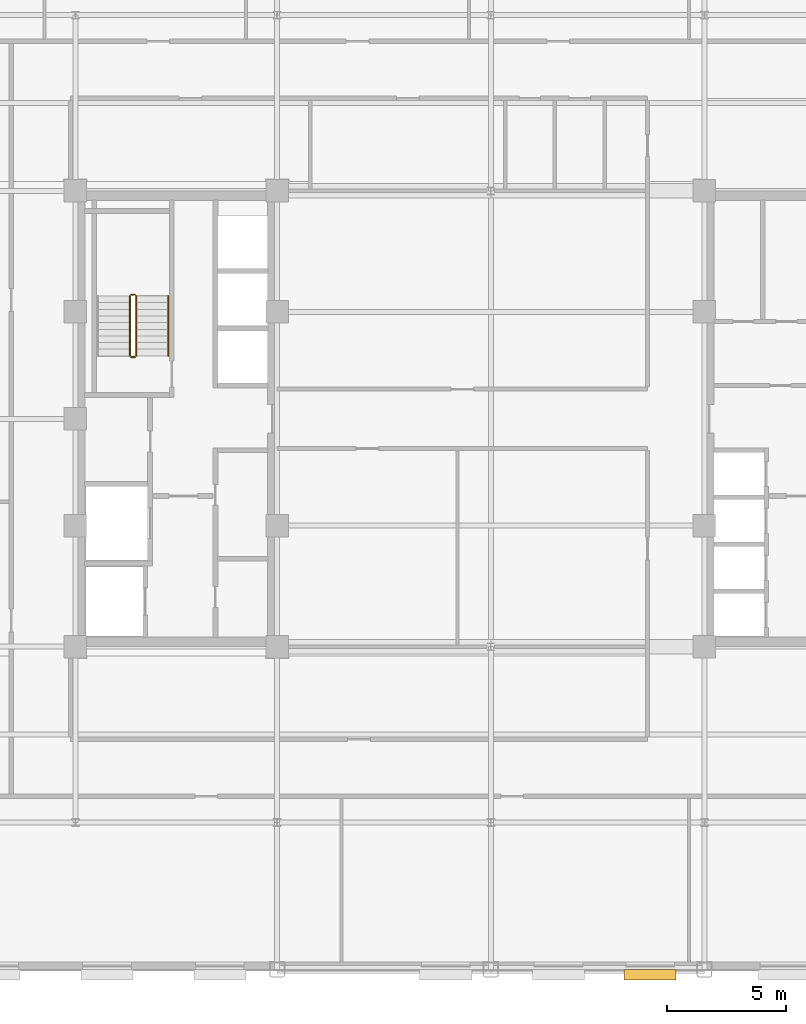
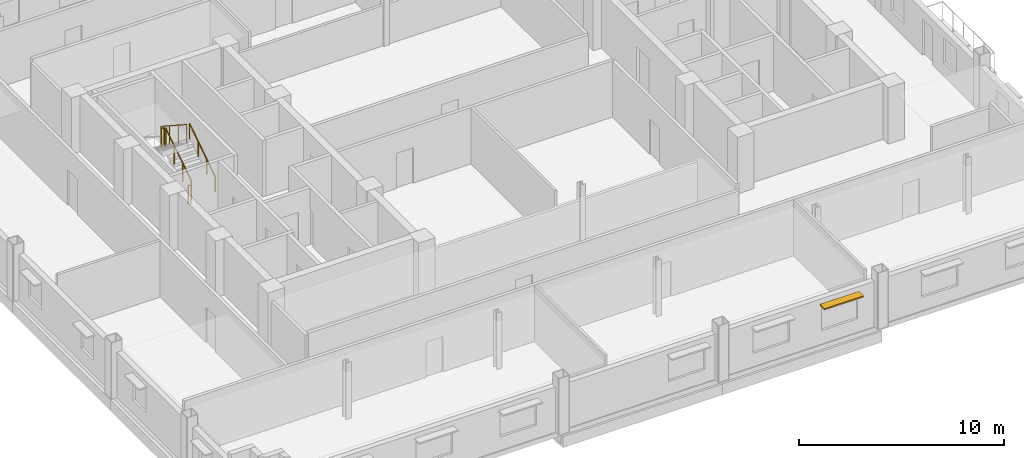
# One storey, part 12 of 14: 5 railings, 1 shading device.
"""IFC4 building model written with IfcOpenShell, lengths in metres."""

import ifcopenshell
import ifcopenshell.guid

model = None  # the IFC model being written
_history = None  # IfcOwnerHistory: only IFC2X3 demands one
_inside = {}  # id of a spatial element -> (the spatial element, [elements in it])
_under = {}  # id of a project, library or spatial element -> (it, [spatial elements below it])
_declared = {}  # id of a project -> (the project, [libraries it declares])
_typed = {}  # id of a type object -> (the type object, [elements of that type])
_made_of = {}  # id of a material, layer set ... -> (it, [elements and type objects made of it])


def new_model(schema):
    """Start an empty IFC model of exactly this schema.

    Asked for "IFC4X3", IfcOpenShell would pick the latest addendum, in which some entities
    have other attributes; the version numbers below select the first issue.
    IFC2X3 requires an IfcOwnerHistory on every rooted entity: one is made here for all.
    """
    global model, _history
    if schema == "IFC4X3":
        model = ifcopenshell.file(schema_version=(4, 3, 0, 0))
    else:
        model = ifcopenshell.file(schema=schema)
    _inside.clear()
    _under.clear()
    _declared.clear()
    _typed.clear()
    _made_of.clear()
    _history = None
    if model.schema == "IFC2X3":
        org = make("IfcOrganization", Name="unknown")
        user = make(
            "IfcPersonAndOrganization",
            ThePerson=make("IfcPerson", FamilyName="unknown"),
            TheOrganization=org,
        )
        app = make(
            "IfcApplication",
            ApplicationDeveloper=org,
            Version="unknown",
            ApplicationFullName="unknown",
            ApplicationIdentifier="unknown",
        )
        _history = make(
            "IfcOwnerHistory",
            OwningUser=user,
            OwningApplication=app,
            ChangeAction="ADDED",
            CreationDate=0,
        )
    return model


def make(cls, **values):
    """One entity of the class cls with the attributes given. An attribute that is None is left unset."""
    return model.create_entity(
        cls, **{name: value for name, value in values.items() if value is not None}
    )


def rooted(cls, **values):
    """An entity with a GlobalId (a new one), such as an element, a storey or a relation."""
    return make(cls, GlobalId=ifcopenshell.guid.new(), OwnerHistory=_history, **values)


def si_unit(unit_type, name, prefix=None):
    """IfcSIUnit, for example si_unit("LENGTHUNIT", "METRE", prefix="MILLI")."""
    return make("IfcSIUnit", UnitType=unit_type, Prefix=prefix, Name=name)


def assignment(units):
    """IfcUnitAssignment: the units of a project."""
    return None if units is None else make("IfcUnitAssignment", Units=units)


def point(xyz):
    """IfcCartesianPoint."""
    return None if xyz is None else make("IfcCartesianPoint", Coordinates=xyz)


def direction(xyz):
    """IfcDirection."""
    return None if xyz is None else make("IfcDirection", DirectionRatios=xyz)


def frame(location, z_axis=None, x_axis=None):
    """IfcAxis2Placement3D, a coordinate frame: its origin and axes. An axis left out is left unset."""
    return make(
        "IfcAxis2Placement3D",
        Location=point(location),
        Axis=direction(z_axis),
        RefDirection=direction(x_axis),
    )


def frame_2d(location, x_axis=None):
    """IfcAxis2Placement2D, a coordinate frame in the plane: its origin and x axis."""
    return make(
        "IfcAxis2Placement2D", Location=point(location), RefDirection=direction(x_axis)
    )


def origin():
    """The frame at (0, 0, 0) with its axes left unset."""
    return frame((0.0, 0.0, 0.0))


def origin_2d():
    """The frame at (0, 0) in the plane with its x axis left unset."""
    return frame_2d((0.0, 0.0))


def place(relative_to, where):
    """IfcLocalPlacement: puts the frame where relative to a parent placement (None: the world)."""
    return make(
        "IfcLocalPlacement", PlacementRelTo=relative_to, RelativePlacement=where
    )


def context(
    kind, dimensions, precision=None, world=None, true_north=None, identifier=None
):
    """IfcGeometricRepresentationContext, for example the 3D "Model" context."""
    return make(
        "IfcGeometricRepresentationContext",
        ContextIdentifier=identifier,
        ContextType=kind,
        CoordinateSpaceDimension=dimensions,
        Precision=precision,
        WorldCoordinateSystem=world,
        TrueNorth=true_north,
    )


def subcontext(parent, identifier, kind, view, scale=None):
    """IfcGeometricRepresentationSubContext, for example "Body" below "Model"."""
    return make(
        "IfcGeometricRepresentationSubContext",
        ContextIdentifier=identifier,
        ContextType=kind,
        ParentContext=parent,
        TargetScale=scale,
        TargetView=view,
    )


def project(units=None, contexts=None):
    """IfcProject with its units and contexts."""
    return rooted(
        "IfcProject",
        Name="project",
        RepresentationContexts=contexts,
        UnitsInContext=assignment(units),
    )


def spatial(cls, under=None, at=None, **own):
    """A site, building, storey or space (cls), placed at a placement, below another one or the project."""
    s = rooted(cls, ObjectPlacement=at, **own)
    if under is not None:
        _under.setdefault(under.id(), (under, []))[1].append(s)
    return s


def profile(cls, at=None, kind="AREA", **sizes):
    """A parametric profile (cls). Its sizes go by their IFC names, for example OverallWidth=200.0."""
    return make(cls, ProfileType=kind, Position=at, **sizes)


def rectangle(**sizes):
    """IfcRectangleProfileDef."""
    return profile("IfcRectangleProfileDef", **sizes)


def circle(**sizes):
    """IfcCircleProfileDef."""
    return profile("IfcCircleProfileDef", **sizes)


def extrude(swept, where, along, depth):
    """IfcExtrudedAreaSolid: the profile swept, set in the frame where, extruded along a direction by depth."""
    return make(
        "IfcExtrudedAreaSolid",
        SweptArea=swept,
        Position=where,
        ExtrudedDirection=direction(along),
        Depth=depth,
    )


def shape(context_of_items, identifier, shape_type, items):
    """IfcShapeRepresentation: the items that make up one representation, for example the "Body"."""
    return make(
        "IfcShapeRepresentation",
        ContextOfItems=context_of_items,
        RepresentationIdentifier=identifier,
        RepresentationType=shape_type,
        Items=items,
    )


def source(mapping_origin, context_of_items, identifier, shape_type, items):
    """IfcRepresentationMap: a shape defined once, which mapped items show again and again."""
    return make(
        "IfcRepresentationMap",
        MappingOrigin=mapping_origin,
        MappedRepresentation=shape(context_of_items, identifier, shape_type, items),
    )


def transform(
    local_origin,
    x_axis=None,
    y_axis=None,
    z_axis=None,
    scale=None,
    scale2=None,
    scale3=None,
    uniform=True,
):
    """IfcCartesianTransformationOperator3D, or its non-uniform kind. x_axis, y_axis, z_axis: its Axis1, 2, 3."""
    if uniform:
        return make(
            "IfcCartesianTransformationOperator3D",
            Axis1=direction(x_axis),
            Axis2=direction(y_axis),
            LocalOrigin=point(local_origin),
            Scale=scale,
            Axis3=direction(z_axis),
        )
    return make(
        "IfcCartesianTransformationOperator3DnonUniform",
        Axis1=direction(x_axis),
        Axis2=direction(y_axis),
        LocalOrigin=point(local_origin),
        Scale=scale,
        Axis3=direction(z_axis),
        Scale2=scale2,
        Scale3=scale3,
    )


def mapped(mapping_source, mapping_target):
    """IfcMappedItem: shows the shape of a source again, moved by a transform."""
    return make(
        "IfcMappedItem", MappingSource=mapping_source, MappingTarget=mapping_target
    )


def material(Name=None, Category=None):
    """IfcMaterial."""
    return make("IfcMaterial", Name=Name, Category=Category)


def made_of(thing, what):
    """Note that an element or type object is made of a material, layer set ...; save() writes the relation."""
    if what is not None:
        _made_of.setdefault(what.id(), (what, []))[1].append(thing)
    return thing


def type_object(cls, material=None, **own):
    """A type object (cls), such as IfcWallType, which elements share."""
    return made_of(rooted(cls, **own), material)


def type_shapes(of_type, sources):
    """Give a type object the sources (RepresentationMaps) that its elements show as mapped items."""
    of_type.RepresentationMaps = sources


def element(
    cls,
    number,
    at=None,
    inside=None,
    cuts=None,
    type_object=None,
    material=None,
    context=None,
    identifier="Body",
    shape_type=None,
    held_by="IfcProductDefinitionShape",
    body=None,
    shapes=None,
    **own,
):
    """One element of the class cls, such as IfcWall. Its Tag is "e" and its number.

    at: its placement. inside: the storey or other place that contains it. cuts: it is an
    opening in that element (IfcRelVoidsElement). A single representation is given by context,
    identifier, shape_type and body (its items); several are given by shapes. held_by: the class
    of the entity that holds the representations. save() writes the other relations.
    """
    e = rooted(cls, Tag="e%d" % number, ObjectPlacement=at, **own)
    if body is not None:
        shapes = [shape(context, identifier, shape_type, body)]
    if shapes is not None:
        e.Representation = make(held_by, Representations=shapes)
    if inside is not None:
        _inside.setdefault(inside.id(), (inside, []))[1].append(e)
    if cuts is not None:
        rooted(
            "IfcRelVoidsElement", RelatingBuildingElement=cuts, RelatedOpeningElement=e
        )
    if type_object is not None:
        _typed.setdefault(type_object.id(), (type_object, []))[1].append(e)
    return made_of(e, material)


def aggregate(whole, parts):
    """IfcRelAggregates: a whole, such as a stair, and the parts it consists of."""
    return rooted("IfcRelAggregates", RelatingObject=whole, RelatedObjects=parts)


def save(model, path):
    """Write the relations noted so far, then the file.

    IfcRelAggregates (storeys below a building ...), IfcRelContainedInSpatialStructure (elements
    in a storey), IfcRelDefinesByType, IfcRelAssociatesMaterial and IfcRelDeclares: one each for
    every whole, place, type object, material and project.
    """
    for whole, parts in _under.values():
        aggregate(whole, parts)
    for where, things in _inside.values():
        rooted(
            "IfcRelContainedInSpatialStructure",
            RelatedElements=things,
            RelatingStructure=where,
        )
    for kind, things in _typed.values():
        rooted("IfcRelDefinesByType", RelatedObjects=things, RelatingType=kind)
    for what, things in _made_of.values():
        rooted("IfcRelAssociatesMaterial", RelatedObjects=things, RelatingMaterial=what)
    for by, libraries in _declared.values():
        rooted("IfcRelDeclares", RelatingContext=by, RelatedDefinitions=libraries)
    model.write(path)


model = new_model("IFC4")

# Units and contexts
model_context = context("Model", 3, precision=1e-05, world=origin(), true_north=direction((0.0, 1.0)))
body_context = subcontext(model_context, "Body", "Model", "MODEL_VIEW")
ifc_project = project(units=[si_unit("LENGTHUNIT", "METRE"), si_unit("AREAUNIT", "SQUARE_METRE"), si_unit("VOLUMEUNIT", "CUBIC_METRE"), si_unit("PLANEANGLEUNIT", "RADIAN"), si_unit("MASSUNIT", "GRAM", prefix="KILO")], contexts=[model_context])

# Site, building, storey
site_placement = place(None, origin())
site = spatial("IfcSite", under=ifc_project, at=site_placement, CompositionType="ELEMENT")
building_placement = place(site_placement, origin())
building = spatial("IfcBuilding", under=site, at=building_placement, Name="Nuvemarco Arch Tower", CompositionType="ELEMENT")
storey_placement = place(building_placement, frame((0.0, 0.0, 174.949951171875)))
storey = spatial("IfcBuildingStorey", under=building, at=storey_placement, Name="L46", CompositionType="ELEMENT", Elevation=174.949951171875)

# Railings
ifc_material_1 = material(Name="Brushed stainless steel handrail", Category="steel")
railing_type_1 = type_object("IfcRailingType", Name="RL-HANDRAIL-900", PredefinedType="HANDRAIL", material=ifc_material_1)
railing_1_placement = place(storey_placement, frame((-13.590087890625, 2.64990234375, 0.1826171875)))
element("IfcRailing", 1, at=railing_1_placement, inside=storey, type_object=railing_type_1, Name="L46 ST-1 stair handrail 1", PredefinedType="HANDRAIL", context=body_context, shape_type="SweptSolid", body=[
    extrude(circle(Radius=0.02392578125, at=origin_2d()), frame((0.0, 0.0, 0.8759765625), z_axis=(0.0, 0.837786554691, 0.545997883492), x_axis=(-1.0, 0.0, 0.0)), (0.0, 0.0, 1.0), 3.008056640625),
    extrude(circle(Radius=0.02099609375, at=origin_2d()), origin(), (0.0, 0.0, 1.0), 0.851806640625),
    extrude(circle(Radius=0.02099609375, at=origin_2d()), frame((0.0, 0.840087890625, 0.54736328125)), (0.0, 0.0, 1.0), 0.851806640625),
    extrude(circle(Radius=0.02099609375, at=origin_2d()), frame((0.0, 1.679931640625, 1.094970703125)), (0.0, 0.0, 1.0), 0.851806640625),
    extrude(circle(Radius=0.02099609375, at=origin_2d()), frame((0.0, 2.52001953125, 1.642333984375)), (0.0, 0.0, 1.0), 0.851806640625),
])
ifc_material_2 = material(Name="Painted balustrade steel S355", Category="steel")
railing_type_2 = type_object("IfcRailingType", Name="RL-STAIR-GUARD", PredefinedType="GUARDRAIL", material=ifc_material_2)
railing_2_placement = place(storey_placement, frame((-14.93994140625, 2.64990234375, 0.1826171875)))
element("IfcRailing", 2, at=railing_2_placement, inside=storey, type_object=railing_type_2, Name="L46 ST-1 stair guard 1", PredefinedType="GUARDRAIL", context=body_context, shape_type="SweptSolid", body=[
    extrude(circle(Radius=0.02392578125, at=origin_2d()), frame((0.0, 0.0, 1.09619140625), z_axis=(0.0, 0.837786554691, 0.545997883492), x_axis=(-1.0, 0.0, 0.0)), (0.0, 0.0, 1.0), 3.008056640625),
    extrude(circle(Radius=0.02099609375, at=origin_2d()), origin(), (0.0, 0.0, 1.0), 1.072021484375),
    extrude(circle(Radius=0.02099609375, at=origin_2d()), frame((0.0, 0.840087890625, 0.54736328125)), (0.0, 0.0, 1.0), 1.072021484375),
    extrude(circle(Radius=0.02099609375, at=origin_2d()), frame((0.0, 1.679931640625, 1.094970703125)), (0.0, 0.0, 1.0), 1.072021484375),
    extrude(circle(Radius=0.02099609375, at=origin_2d()), frame((0.0, 2.52001953125, 1.642333984375)), (0.0, 0.0, 1.0), 1.072021484375),
])
railing_3_placement = place(storey_placement, frame((-14.989990234375, 5.219970703125, 1.824951171875)))
element("IfcRailing", 3, at=railing_3_placement, inside=storey, type_object=railing_type_2, Name="L46 ST-1 stair guard 2", PredefinedType="GUARDRAIL", context=body_context, shape_type="SweptSolid", body=[
    extrude(circle(Radius=0.02392578125, at=origin_2d()), frame((0.0, 0.0, 1.09619140625), z_axis=(-1.0, 0.0, 0.0), x_axis=(0.0, -1.0, 0.0)), (0.0, 0.0, 1.0), 0.159912109375),
    extrude(circle(Radius=0.02099609375, at=origin_2d()), origin(), (0.0, 0.0, 1.0), 1.072021484375),
    extrude(circle(Radius=0.02099609375, at=origin_2d()), frame((-0.159912109375, 0.0, 0.0)), (0.0, 0.0, 1.0), 1.072021484375),
])
railing_4_placement = place(storey_placement, frame((-15.199951171875, 5.169921875, 2.007568359375)))
element("IfcRailing", 4, at=railing_4_placement, inside=storey, type_object=railing_type_2, Name="L46 ST-1 stair guard 3", PredefinedType="GUARDRAIL", context=body_context, shape_type="SweptSolid", body=[
    extrude(circle(Radius=0.02392578125, at=origin_2d()), frame((0.0, 0.0, 1.09619140625), z_axis=(0.0, -0.837749427056, 0.546054848405), x_axis=(1.0, 0.0, 0.0)), (0.0, 0.0, 1.0), 3.008056640625),
    extrude(circle(Radius=0.02099609375, at=origin_2d()), origin(), (0.0, 0.0, 1.0), 1.072021484375),
    extrude(circle(Radius=0.02099609375, at=origin_2d()), frame((0.0, -0.840087890625, 0.547607421875)), (0.0, 0.0, 1.0), 1.072021484375),
    extrude(circle(Radius=0.02099609375, at=origin_2d()), frame((0.0, -1.679931640625, 1.094970703125)), (0.0, 0.0, 1.0), 1.072021484375),
    extrude(circle(Radius=0.02099609375, at=origin_2d()), frame((0.0, -2.52001953125, 1.642578125)), (0.0, 0.0, 1.0), 1.072021484375),
])
railing_5_placement = place(storey_placement, frame((-14.989990234375, 2.60009765625, 0.0)))
element("IfcRailing", 5, at=railing_5_placement, inside=storey, type_object=railing_type_2, Name="L46 ST-1 stair guard 4", PredefinedType="GUARDRAIL", context=body_context, shape_type="SweptSolid", body=[
    extrude(circle(Radius=0.02392578125, at=origin_2d()), frame((0.0, 0.0, 1.09619140625), z_axis=(-1.0, 0.0, 0.0), x_axis=(0.0, -1.0, 0.0)), (0.0, 0.0, 1.0), 0.159912109375),
    extrude(circle(Radius=0.02099609375, at=origin_2d()), origin(), (0.0, 0.0, 1.0), 1.072021484375),
    extrude(circle(Radius=0.02099609375, at=origin_2d()), frame((-0.159912109375, 0.0, 0.0)), (0.0, 0.0, 1.0), 1.072021484375),
])

# Shading device
ifc_material_3 = material(Name="Anodised aluminium 6063-T6", Category="aluminium")
shading_device_type = type_object("IfcShadingDeviceType", Name="SHD-BRISE-SOLEIL", PredefinedType="USERDEFINED", material=ifc_material_3)
shared_shape = source(origin(), body_context, "Body", "SweptSolid", [
    extrude(rectangle(XDim=2.199951171875, YDim=0.449951171875, at=origin_2d()), origin(), (0.0, 0.0, 1.0), 0.080078125),
])
type_shapes(shading_device_type, [shared_shape])
shading_device_placement = place(storey_placement, frame((6.711181640625, -23.4150390625, 2.324951171875), z_axis=(0.0, 0.0, 1.0), x_axis=(1.0, 0.0, 0.0)))
element("IfcShadingDevice", 6, at=shading_device_placement, inside=storey, type_object=shading_device_type, Name="L46 horizontal brise-soleil sunshade", ObjectType="SUNSHADE", PredefinedType="USERDEFINED", context=body_context, shape_type="MappedRepresentation", body=[
    mapped(shared_shape, transform((0.0, 0.0, 0.0), scale=1.0)),
])

save(model, "model.ifc")
